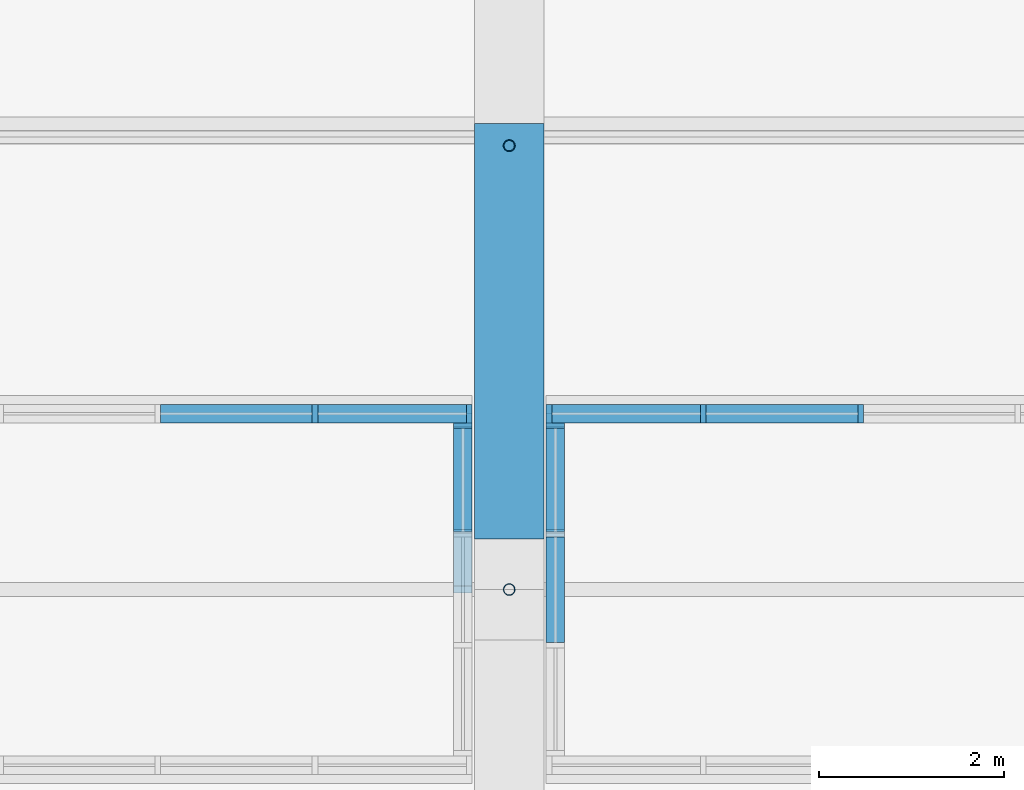
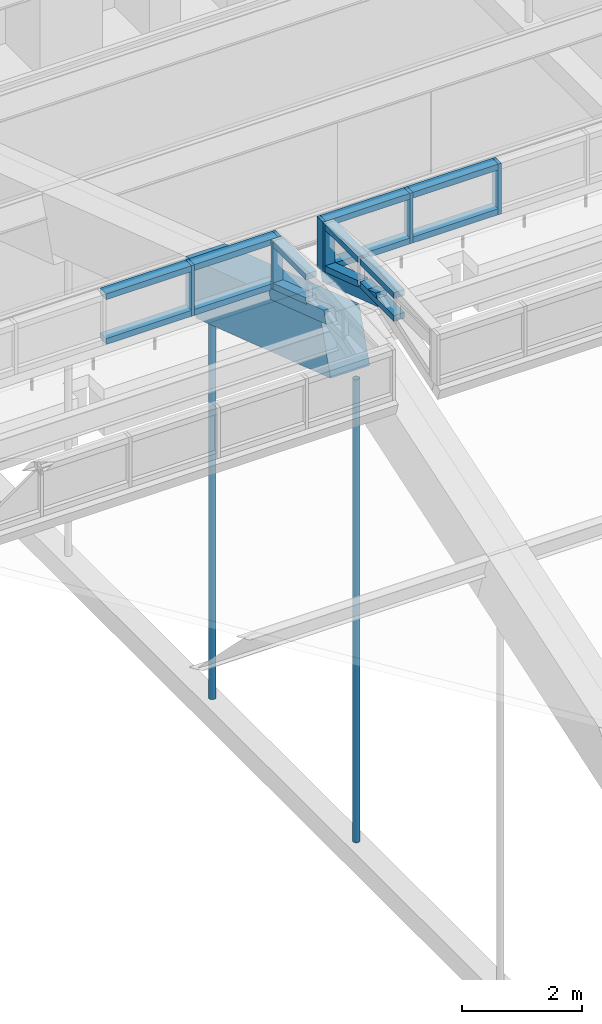
# One storey, part 34 of 149: 25 members, 1 beam, 4 elements without a shape of their own.
"""IFC4 building model written with IfcOpenShell, lengths in metres."""

from ifc_helpers import new_model, si_unit, direction, frame, origin, origin_2d, place, context, subcontext, project, spatial, rectangle, hollow_circle, extrude, material, material_profile, profile_set, type_object, element, aggregate, save


model = new_model("IFC4")

# Units and contexts
model_context = context("Model", 3, precision=1e-05, world=origin(), true_north=direction((0.0, 1.0)))
body_context = subcontext(model_context, "Body", "Model", "MODEL_VIEW")
ifc_project = project(units=[si_unit("LENGTHUNIT", "METRE"), si_unit("AREAUNIT", "SQUARE_METRE"), si_unit("VOLUMEUNIT", "CUBIC_METRE"), si_unit("PLANEANGLEUNIT", "RADIAN"), si_unit("MASSUNIT", "GRAM", prefix="KILO")], contexts=[model_context])

# Site, building, storey
site_placement = place(None, origin())
site = spatial("IfcSite", under=ifc_project, at=site_placement, CompositionType="ELEMENT")
building_placement = place(site_placement, origin())
building = spatial("IfcBuilding", under=site, at=building_placement, Name="Alderwick Market Hall", CompositionType="ELEMENT")
storey_placement = place(building_placement, frame((0.0, 0.0, 9.60009765625)))
storey = spatial("IfcBuildingStorey", under=building, at=storey_placement, Name="L01", CompositionType="ELEMENT", Elevation=9.60009765625)

# Beam
ifc_material_1 = material(Name="Concrete 5000 psi (f'c 35 MPa)", Category="concrete")
ifc_material_profile_1 = material_profile(ifc_material_1, rectangle(XDim=0.75, YDim=1.10009765625, at=origin_2d()), Name="RC 750x1100")
ifc_profile_set_1 = profile_set([ifc_material_profile_1], Name="Concrete 5000 psi (f'c 35 MPa)")
beam_type = type_object("IfcBeamType", Name="R Arch Rib Crown 750x1100", PredefinedType="BEAM", material=ifc_profile_set_1)
beam_placement = place(storey_placement, frame((64.800048828125, 79.573974609375, 16.2861328125), z_axis=(0.0, 0.948672979153, -0.316258721025), x_axis=(-1.0, 0.0, 0.0)))
element("IfcBeam", 1, at=beam_placement, inside=storey, type_object=beam_type, Name="Arch rib 2 chord 7", PredefinedType="BEAM", context=body_context, shape_type="SweptSolid", body=[
    extrude(rectangle(XDim=0.75, YDim=1.10009765625, at=origin_2d()), origin(), (0.0, 0.0, 1.0), 4.732177734375),
])

# Curtain wall, members
ifc_material_2 = material(Name="Aluminium", Category="aluminium")
curtain_wall_type = type_object("IfcCurtainWallType", Name="R Curtain Wall Frame", PredefinedType="NOTDEFINED", material=ifc_material_2)
curtain_wall_1_placement = place(storey_placement, origin())
curtain_wall_1 = element("IfcCurtainWall", 2, at=curtain_wall_1_placement, inside=storey, type_object=curtain_wall_type, Name="Curtain wall LCW N1", PredefinedType="NOTDEFINED")
ifc_material_profile_2 = material_profile(ifc_material_2, rectangle(XDim=0.199951171875, YDim=0.06005859375, at=origin_2d()), Name="AL 60x200")
ifc_profile_set_2 = profile_set([ifc_material_profile_2], Name="Aluminium")
member_type_1 = type_object("IfcMemberType", Name="R CW Mullion 60x200", PredefinedType="MULLION", material=ifc_profile_set_2)
member_1_placement = place(storey_placement, frame((62.699951171875, 81.10009765625, 16.670166015625), z_axis=(0.0, 0.0, 1.0), x_axis=(0.0, 1.0, 0.0)))
member_1 = element("IfcMember", 3, at=member_1_placement, type_object=member_type_1, Name="LCW N1 mullion 8", PredefinedType="MULLION", context=body_context, shape_type="SweptSolid", body=[
    extrude(rectangle(XDim=0.199951171875, YDim=0.06005859375, at=origin_2d()), origin(), (0.0, 0.0, 1.0), 1.02978515625),
])
member_2_placement = place(storey_placement, frame((64.3701171875, 81.10009765625, 16.670166015625), z_axis=(0.0, 0.0, 1.0), x_axis=(0.0, 1.0, 0.0)))
member_2 = element("IfcMember", 4, at=member_2_placement, type_object=member_type_1, Name="LCW N1 mullion 9", PredefinedType="MULLION", context=body_context, shape_type="SweptSolid", body=[
    extrude(rectangle(XDim=0.199951171875, YDim=0.06005859375, at=origin_2d()), origin(), (0.0, 0.0, 1.0), 1.02978515625),
])

# Curtain wall, member
curtain_wall_2_placement = place(storey_placement, origin())
curtain_wall_2 = element("IfcCurtainWall", 5, at=curtain_wall_2_placement, inside=storey, type_object=curtain_wall_type, Name="Curtain wall LCW E1", PredefinedType="NOTDEFINED")
member_3_placement = place(storey_placement, frame((64.300048828125, 80.969970703125, 16.713623046875), z_axis=(0.0, 0.0, 1.0), x_axis=(1.0, 0.0, 0.0)))
member_3 = element("IfcMember", 6, at=member_3_placement, type_object=member_type_1, Name="LCW E1 mullion 4", PredefinedType="MULLION", context=body_context, shape_type="SweptSolid", body=[
    extrude(rectangle(XDim=0.199951171875, YDim=0.06005859375, at=origin_2d()), origin(), (0.0, 0.0, 1.0), 0.986328125),
])

# Curtain wall, members
curtain_wall_3_placement = place(storey_placement, origin())
curtain_wall_3 = element("IfcCurtainWall", 7, at=curtain_wall_3_placement, inside=storey, type_object=curtain_wall_type, Name="Curtain wall LCW N2", PredefinedType="NOTDEFINED")
member_4_placement = place(storey_placement, frame((65.22998046875, 81.10009765625, 16.670166015625), z_axis=(0.0, 0.0, 1.0), x_axis=(0.0, 1.0, 0.0)))
member_4 = element("IfcMember", 8, at=member_4_placement, type_object=member_type_1, Name="LCW N2 mullion 1", PredefinedType="MULLION", context=body_context, shape_type="SweptSolid", body=[
    extrude(rectangle(XDim=0.199951171875, YDim=0.06005859375, at=origin_2d()), origin(), (0.0, 0.0, 1.0), 1.02978515625),
])
member_5_placement = place(storey_placement, frame((66.89990234375, 81.10009765625, 16.670166015625), z_axis=(0.0, 0.0, 1.0), x_axis=(0.0, 1.0, 0.0)))
member_5 = element("IfcMember", 9, at=member_5_placement, type_object=member_type_1, Name="LCW N2 mullion 2", PredefinedType="MULLION", context=body_context, shape_type="SweptSolid", body=[
    extrude(rectangle(XDim=0.199951171875, YDim=0.06005859375, at=origin_2d()), origin(), (0.0, 0.0, 1.0), 1.02978515625),
])
member_6_placement = place(storey_placement, frame((68.60009765625, 81.10009765625, 16.670166015625), z_axis=(0.0, 0.0, 1.0), x_axis=(0.0, 1.0, 0.0)))
member_6 = element("IfcMember", 10, at=member_6_placement, type_object=member_type_1, Name="LCW N2 mullion 3", PredefinedType="MULLION", context=body_context, shape_type="SweptSolid", body=[
    extrude(rectangle(XDim=0.199951171875, YDim=0.06005859375, at=origin_2d()), origin(), (0.0, 0.0, 1.0), 1.02978515625),
])

# Curtain wall, member
curtain_wall_4_placement = place(storey_placement, origin())
curtain_wall_4 = element("IfcCurtainWall", 11, at=curtain_wall_4_placement, inside=storey, type_object=curtain_wall_type, Name="Curtain wall LCW W2", PredefinedType="NOTDEFINED")
member_7_placement = place(storey_placement, frame((65.300048828125, 80.969970703125, 16.713623046875), z_axis=(0.0, 0.0, 1.0), x_axis=(1.0, 0.0, 0.0)))
member_7 = element("IfcMember", 12, at=member_7_placement, type_object=member_type_1, Name="LCW W2 mullion 4", PredefinedType="MULLION", context=body_context, shape_type="SweptSolid", body=[
    extrude(rectangle(XDim=0.199951171875, YDim=0.06005859375, at=origin_2d()), origin(), (0.0, 0.0, 1.0), 0.986328125),
])

# Member
ifc_material_profile_3 = material_profile(ifc_material_2, rectangle(XDim=0.199951171875, YDim=0.1201171875, at=origin_2d()), Name="AL 120x200")
ifc_profile_set_3 = profile_set([ifc_material_profile_3], Name="Aluminium")
member_type_2 = type_object("IfcMemberType", Name="R CW Transom 120x200", PredefinedType="USERDEFINED", material=ifc_profile_set_3)
member_8_placement = place(storey_placement, frame((61.030029296875, 81.10009765625, 16.730224609375), z_axis=(1.0, 0.0, 0.0), x_axis=(0.0, 1.0, 0.0)))
member_8 = element("IfcMember", 13, at=member_8_placement, type_object=member_type_2, Name="LCW N1 sill transom 7", ObjectType="TRANSOM", PredefinedType="USERDEFINED", context=body_context, shape_type="SweptSolid", body=[
    extrude(rectangle(XDim=0.199951171875, YDim=0.1201171875, at=origin_2d()), origin(), (0.0, 0.0, 1.0), 1.639892578125),
])

member_9_placement = place(storey_placement, frame((61.030029296875, 81.10009765625, 17.639892578125), z_axis=(1.0, 0.0, 0.0), x_axis=(0.0, 1.0, 0.0)))
member_9 = element("IfcMember", 14, at=member_9_placement, type_object=member_type_2, Name="LCW N1 head transom 7", ObjectType="TRANSOM", PredefinedType="USERDEFINED", context=body_context, shape_type="SweptSolid", body=[
    extrude(rectangle(XDim=0.199951171875, YDim=0.1201171875, at=origin_2d()), origin(), (0.0, 0.0, 1.0), 1.639892578125),
])

member_10_placement = place(storey_placement, frame((62.72998046875, 81.10009765625, 16.730224609375), z_axis=(1.0, 0.0, 0.0), x_axis=(0.0, 1.0, 0.0)))
member_10 = element("IfcMember", 15, at=member_10_placement, type_object=member_type_2, Name="LCW N1 sill transom 8", ObjectType="TRANSOM", PredefinedType="USERDEFINED", context=body_context, shape_type="SweptSolid", body=[
    extrude(rectangle(XDim=0.199951171875, YDim=0.1201171875, at=origin_2d()), origin(), (0.0, 0.0, 1.0), 1.610107421875),
])

member_11_placement = place(storey_placement, frame((62.72998046875, 81.10009765625, 17.639892578125), z_axis=(1.0, 0.0, 0.0), x_axis=(0.0, 1.0, 0.0)))
member_11 = element("IfcMember", 16, at=member_11_placement, type_object=member_type_2, Name="LCW N1 head transom 8", ObjectType="TRANSOM", PredefinedType="USERDEFINED", context=body_context, shape_type="SweptSolid", body=[
    extrude(rectangle(XDim=0.199951171875, YDim=0.1201171875, at=origin_2d()), origin(), (0.0, 0.0, 1.0), 1.610107421875),
])

aggregate(curtain_wall_1, [member_1, member_2, member_8, member_9, member_10, member_11])

member_12_placement = place(storey_placement, frame((64.300048828125, 79.830078125, 17.153564453125), z_axis=(0.0, 0.948641554568, -0.316352968923), x_axis=(-1.0, 0.0, 0.0)))
member_12 = element("IfcMember", 17, at=member_12_placement, type_object=member_type_2, Name="LCW E1 sill transom 3", ObjectType="TRANSOM", PredefinedType="USERDEFINED", context=body_context, shape_type="SweptSolid", body=[
    extrude(rectangle(XDim=0.199951171875, YDim=0.1201171875, at=origin_2d()), origin(), (0.0, 0.0, 1.0), 1.169921875),
])

member_13_placement = place(storey_placement, frame((64.300048828125, 79.830078125, 17.639892578125), z_axis=(0.0, 1.0, 0.0), x_axis=(-1.0, 0.0, 0.0)))
member_13 = element("IfcMember", 18, at=member_13_placement, type_object=member_type_2, Name="LCW E1 head transom 3", ObjectType="TRANSOM", PredefinedType="USERDEFINED", context=body_context, shape_type="SweptSolid", body=[
    extrude(rectangle(XDim=0.199951171875, YDim=0.1201171875, at=origin_2d()), origin(), (0.0, 0.0, 1.0), 1.10986328125),
])

member_14_placement = place(storey_placement, frame((65.260009765625, 81.10009765625, 16.730224609375), z_axis=(1.0, 0.0, 0.0), x_axis=(0.0, 1.0, 0.0)))
member_14 = element("IfcMember", 19, at=member_14_placement, type_object=member_type_2, Name="LCW N2 sill transom 1", ObjectType="TRANSOM", PredefinedType="USERDEFINED", context=body_context, shape_type="SweptSolid", body=[
    extrude(rectangle(XDim=0.199951171875, YDim=0.1201171875, at=origin_2d()), origin(), (0.0, 0.0, 1.0), 1.610107421875),
])

member_15_placement = place(storey_placement, frame((65.260009765625, 81.10009765625, 17.639892578125), z_axis=(1.0, 0.0, 0.0), x_axis=(0.0, 1.0, 0.0)))
member_15 = element("IfcMember", 20, at=member_15_placement, type_object=member_type_2, Name="LCW N2 head transom 1", ObjectType="TRANSOM", PredefinedType="USERDEFINED", context=body_context, shape_type="SweptSolid", body=[
    extrude(rectangle(XDim=0.199951171875, YDim=0.1201171875, at=origin_2d()), origin(), (0.0, 0.0, 1.0), 1.610107421875),
])

member_16_placement = place(storey_placement, frame((66.929931640625, 81.10009765625, 16.730224609375), z_axis=(1.0, 0.0, 0.0), x_axis=(0.0, 1.0, 0.0)))
member_16 = element("IfcMember", 21, at=member_16_placement, type_object=member_type_2, Name="LCW N2 sill transom 2", ObjectType="TRANSOM", PredefinedType="USERDEFINED", context=body_context, shape_type="SweptSolid", body=[
    extrude(rectangle(XDim=0.199951171875, YDim=0.1201171875, at=origin_2d()), origin(), (0.0, 0.0, 1.0), 1.64013671875),
])

member_17_placement = place(storey_placement, frame((66.929931640625, 81.10009765625, 17.639892578125), z_axis=(1.0, 0.0, 0.0), x_axis=(0.0, 1.0, 0.0)))
member_17 = element("IfcMember", 22, at=member_17_placement, type_object=member_type_2, Name="LCW N2 head transom 2", ObjectType="TRANSOM", PredefinedType="USERDEFINED", context=body_context, shape_type="SweptSolid", body=[
    extrude(rectangle(XDim=0.199951171875, YDim=0.1201171875, at=origin_2d()), origin(), (0.0, 0.0, 1.0), 1.64013671875),
])

aggregate(curtain_wall_3, [member_4, member_5, member_6, member_14, member_15, member_16, member_17])

member_18_placement = place(storey_placement, frame((65.300048828125, 78.6298828125, 17.173583984375), z_axis=(0.0, 1.0, 0.0), x_axis=(-1.0, 0.0, 0.0)))
member_18 = element("IfcMember", 23, at=member_18_placement, type_object=member_type_2, Name="LCW W2 sill transom 2", ObjectType="TRANSOM", PredefinedType="USERDEFINED", context=body_context, shape_type="SweptSolid", body=[
    extrude(rectangle(XDim=0.199951171875, YDim=0.1201171875, at=origin_2d()), origin(), (0.0, 0.0, 1.0), 1.14013671875),
])

member_19_placement = place(storey_placement, frame((65.300048828125, 78.6298828125, 17.639892578125), z_axis=(0.0, 1.0, 0.0), x_axis=(-1.0, 0.0, 0.0)))
member_19 = element("IfcMember", 24, at=member_19_placement, type_object=member_type_2, Name="LCW W2 head transom 2", ObjectType="TRANSOM", PredefinedType="USERDEFINED", context=body_context, shape_type="SweptSolid", body=[
    extrude(rectangle(XDim=0.199951171875, YDim=0.1201171875, at=origin_2d()), origin(), (0.0, 0.0, 1.0), 1.14013671875),
])

member_20_placement = place(storey_placement, frame((65.300048828125, 79.830078125, 17.153564453125), z_axis=(0.0, 0.948641554568, -0.316352968923), x_axis=(-1.0, 0.0, 0.0)))
member_20 = element("IfcMember", 25, at=member_20_placement, type_object=member_type_2, Name="LCW W2 sill transom 3", ObjectType="TRANSOM", PredefinedType="USERDEFINED", context=body_context, shape_type="SweptSolid", body=[
    extrude(rectangle(XDim=0.199951171875, YDim=0.1201171875, at=origin_2d()), origin(), (0.0, 0.0, 1.0), 1.169921875),
])

member_21_placement = place(storey_placement, frame((65.300048828125, 79.830078125, 17.639892578125), z_axis=(0.0, 1.0, 0.0), x_axis=(-1.0, 0.0, 0.0)))
member_21 = element("IfcMember", 26, at=member_21_placement, type_object=member_type_2, Name="LCW W2 head transom 3", ObjectType="TRANSOM", PredefinedType="USERDEFINED", context=body_context, shape_type="SweptSolid", body=[
    extrude(rectangle(XDim=0.199951171875, YDim=0.1201171875, at=origin_2d()), origin(), (0.0, 0.0, 1.0), 1.10986328125),
])

# Members
ifc_material_3 = material(Name="Steel ASTM A500 Grade C", Category="steel")
ifc_material_profile_4 = material_profile(ifc_material_3, hollow_circle(Radius=0.0634765625, WallThickness=0.005859375, at=origin_2d()), Name="HSS5.000x0.250")
ifc_profile_set_4 = profile_set([ifc_material_profile_4], Name="Steel ASTM A500 Grade C")
member_type_3 = type_object("IfcMemberType", Name="R Hanger HSS5.000x0.250", PredefinedType="POST", material=ifc_profile_set_4)
member_22_placement = place(storey_placement, frame((64.800048828125, 79.199951171875, 6.35302734375), z_axis=(0.0, 0.0, 1.0), x_axis=(1.0, 0.0, 0.0)))
element("IfcMember", 27, at=member_22_placement, inside=storey, type_object=member_type_3, Name="Arch hanger 2.6", PredefinedType="POST", context=body_context, shape_type="SweptSolid", body=[
    extrude(hollow_circle(Radius=0.0634765625, WallThickness=0.005859375, at=origin_2d()), origin(), (0.0, 0.0, 1.0), 9.411376953125),
])
member_23_placement = place(storey_placement, frame((64.800048828125, 84.0, 6.35302734375), z_axis=(0.0, 0.0, 1.0), x_axis=(1.0, 0.0, 0.0)))
element("IfcMember", 28, at=member_23_placement, inside=storey, type_object=member_type_3, Name="Arch hanger 2.7", PredefinedType="POST", context=body_context, shape_type="SweptSolid", body=[
    extrude(hollow_circle(Radius=0.0634765625, WallThickness=0.005859375, at=origin_2d()), origin(), (0.0, 0.0, 1.0), 7.856689453125),
])

# Member
ifc_material_4 = material(Name="Steel ASTM A572 Grade 50", Category="steel")
ifc_material_profile_5 = material_profile(ifc_material_4, rectangle(XDim=0.199951171875, YDim=0.25, at=origin_2d()), Name="Steel plate curb 200x250")
ifc_profile_set_5 = profile_set([ifc_material_profile_5], Name="Steel ASTM A572 Grade 50")
member_type_4 = type_object("IfcMemberType", Name="R Lantern Curb 200x250", PredefinedType="MEMBER", material=ifc_profile_set_5)
member_24_placement = place(storey_placement, frame((64.300048828125, 79.199951171875, 17.20654296875), z_axis=(0.0, 0.948695716428, -0.316190508447), x_axis=(-1.0, 0.0, 0.0)))
member_24 = element("IfcMember", 29, at=member_24_placement, type_object=member_type_4, Name="Lantern end curb E1.2", PredefinedType="MEMBER", context=body_context, shape_type="SweptSolid", body=[
    extrude(rectangle(XDim=0.199951171875, YDim=0.25, at=origin_2d()), origin(), (0.0, 0.0, 1.0), 1.9658203125),
])

aggregate(curtain_wall_2, [member_3, member_12, member_13, member_24])

member_25_placement = place(storey_placement, frame((65.300048828125, 79.199951171875, 17.20654296875), z_axis=(0.0, 0.948695716428, -0.316190508447), x_axis=(-1.0, 0.0, 0.0)))
member_25 = element("IfcMember", 30, at=member_25_placement, type_object=member_type_4, Name="Lantern end curb W2.2", PredefinedType="MEMBER", context=body_context, shape_type="SweptSolid", body=[
    extrude(rectangle(XDim=0.199951171875, YDim=0.25, at=origin_2d()), origin(), (0.0, 0.0, 1.0), 1.9658203125),
])

aggregate(curtain_wall_4, [member_7, member_18, member_19, member_20, member_21, member_25])

save(model, "model.ifc")
